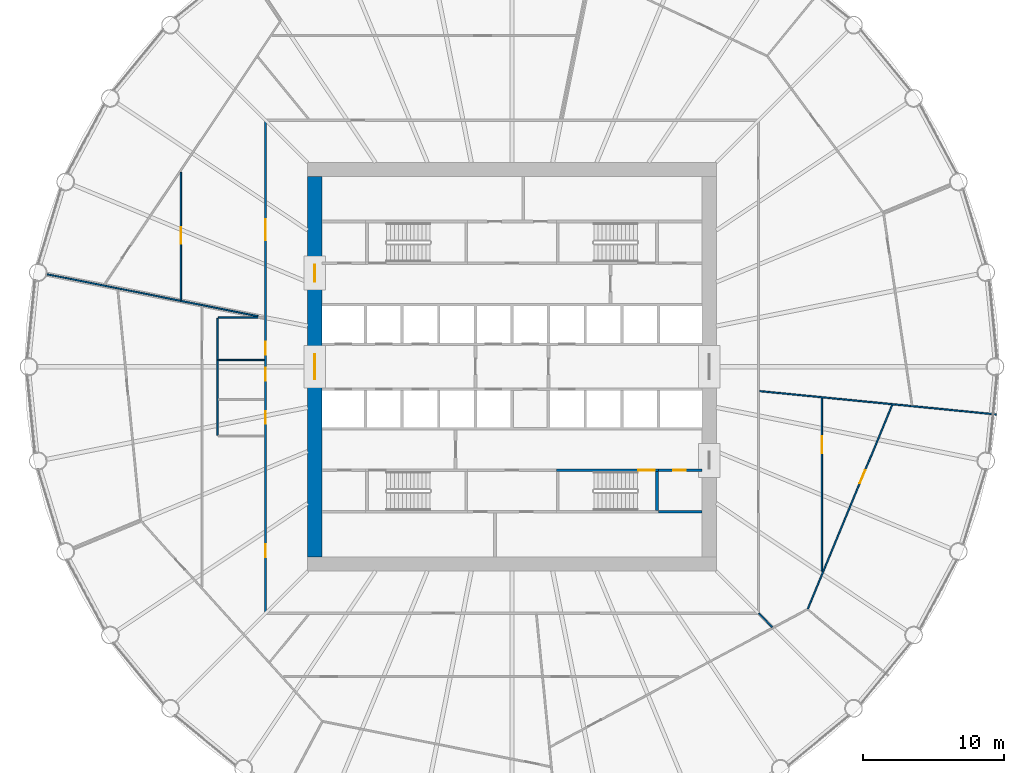
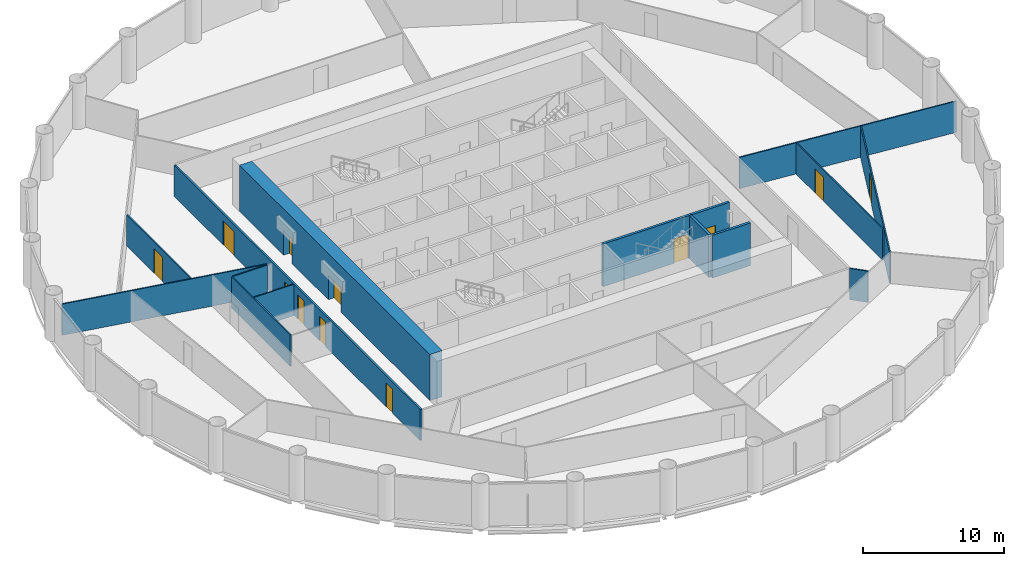
# One storey, part 5 of 9: 15 walls, 12 doors, 12 openings.
"""IFC4 building model written with IfcOpenShell, lengths in metres."""

import ifcopenshell
import ifcopenshell.guid

model = None  # the IFC model being written
_history = None  # IfcOwnerHistory: only IFC2X3 demands one
_inside = {}  # id of a spatial element -> (the spatial element, [elements in it])
_under = {}  # id of a project, library or spatial element -> (it, [spatial elements below it])
_declared = {}  # id of a project -> (the project, [libraries it declares])
_typed = {}  # id of a type object -> (the type object, [elements of that type])
_made_of = {}  # id of a material, layer set ... -> (it, [elements and type objects made of it])


def new_model(schema):
    """Start an empty IFC model of exactly this schema.

    Asked for "IFC4X3", IfcOpenShell would pick the latest addendum, in which some entities
    have other attributes; the version numbers below select the first issue.
    IFC2X3 requires an IfcOwnerHistory on every rooted entity: one is made here for all.
    """
    global model, _history
    if schema == "IFC4X3":
        model = ifcopenshell.file(schema_version=(4, 3, 0, 0))
    else:
        model = ifcopenshell.file(schema=schema)
    _inside.clear()
    _under.clear()
    _declared.clear()
    _typed.clear()
    _made_of.clear()
    _history = None
    if model.schema == "IFC2X3":
        org = make("IfcOrganization", Name="unknown")
        user = make(
            "IfcPersonAndOrganization",
            ThePerson=make("IfcPerson", FamilyName="unknown"),
            TheOrganization=org,
        )
        app = make(
            "IfcApplication",
            ApplicationDeveloper=org,
            Version="unknown",
            ApplicationFullName="unknown",
            ApplicationIdentifier="unknown",
        )
        _history = make(
            "IfcOwnerHistory",
            OwningUser=user,
            OwningApplication=app,
            ChangeAction="ADDED",
            CreationDate=0,
        )
    return model


def make(cls, **values):
    """One entity of the class cls with the attributes given. An attribute that is None is left unset."""
    return model.create_entity(
        cls, **{name: value for name, value in values.items() if value is not None}
    )


def rooted(cls, **values):
    """An entity with a GlobalId (a new one), such as an element, a storey or a relation."""
    return make(cls, GlobalId=ifcopenshell.guid.new(), OwnerHistory=_history, **values)


def si_unit(unit_type, name, prefix=None):
    """IfcSIUnit, for example si_unit("LENGTHUNIT", "METRE", prefix="MILLI")."""
    return make("IfcSIUnit", UnitType=unit_type, Prefix=prefix, Name=name)


def assignment(units):
    """IfcUnitAssignment: the units of a project."""
    return None if units is None else make("IfcUnitAssignment", Units=units)


def point(xyz):
    """IfcCartesianPoint."""
    return None if xyz is None else make("IfcCartesianPoint", Coordinates=xyz)


def direction(xyz):
    """IfcDirection."""
    return None if xyz is None else make("IfcDirection", DirectionRatios=xyz)


def frame(location, z_axis=None, x_axis=None):
    """IfcAxis2Placement3D, a coordinate frame: its origin and axes. An axis left out is left unset."""
    return make(
        "IfcAxis2Placement3D",
        Location=point(location),
        Axis=direction(z_axis),
        RefDirection=direction(x_axis),
    )


def frame_2d(location, x_axis=None):
    """IfcAxis2Placement2D, a coordinate frame in the plane: its origin and x axis."""
    return make(
        "IfcAxis2Placement2D", Location=point(location), RefDirection=direction(x_axis)
    )


def origin():
    """The frame at (0, 0, 0) with its axes left unset."""
    return frame((0.0, 0.0, 0.0))


def place(relative_to, where):
    """IfcLocalPlacement: puts the frame where relative to a parent placement (None: the world)."""
    return make(
        "IfcLocalPlacement", PlacementRelTo=relative_to, RelativePlacement=where
    )


def context(
    kind, dimensions, precision=None, world=None, true_north=None, identifier=None
):
    """IfcGeometricRepresentationContext, for example the 3D "Model" context."""
    return make(
        "IfcGeometricRepresentationContext",
        ContextIdentifier=identifier,
        ContextType=kind,
        CoordinateSpaceDimension=dimensions,
        Precision=precision,
        WorldCoordinateSystem=world,
        TrueNorth=true_north,
    )


def subcontext(parent, identifier, kind, view, scale=None):
    """IfcGeometricRepresentationSubContext, for example "Body" below "Model"."""
    return make(
        "IfcGeometricRepresentationSubContext",
        ContextIdentifier=identifier,
        ContextType=kind,
        ParentContext=parent,
        TargetScale=scale,
        TargetView=view,
    )


def project(units=None, contexts=None):
    """IfcProject with its units and contexts."""
    return rooted(
        "IfcProject",
        Name="project",
        RepresentationContexts=contexts,
        UnitsInContext=assignment(units),
    )


def spatial(cls, under=None, at=None, **own):
    """A site, building, storey or space (cls), placed at a placement, below another one or the project."""
    s = rooted(cls, ObjectPlacement=at, **own)
    if under is not None:
        _under.setdefault(under.id(), (under, []))[1].append(s)
    return s


def polyline(points):
    """IfcPolyline through the points."""
    return make("IfcPolyline", Points=[point(p) for p in points])


def profile(cls, at=None, kind="AREA", **sizes):
    """A parametric profile (cls). Its sizes go by their IFC names, for example OverallWidth=200.0."""
    return make(cls, ProfileType=kind, Position=at, **sizes)


def rectangle(**sizes):
    """IfcRectangleProfileDef."""
    return profile("IfcRectangleProfileDef", **sizes)


def outline(outer, holes=None, kind="AREA"):
    """IfcArbitraryClosedProfileDef: a profile drawn as a closed curve; with holes, ...WithVoids."""
    if holes is None:
        return make("IfcArbitraryClosedProfileDef", ProfileType=kind, OuterCurve=outer)
    return make(
        "IfcArbitraryProfileDefWithVoids",
        ProfileType=kind,
        OuterCurve=outer,
        InnerCurves=holes,
    )


def extrude(swept, where, along, depth):
    """IfcExtrudedAreaSolid: the profile swept, set in the frame where, extruded along a direction by depth."""
    return make(
        "IfcExtrudedAreaSolid",
        SweptArea=swept,
        Position=where,
        ExtrudedDirection=direction(along),
        Depth=depth,
    )


def shape(context_of_items, identifier, shape_type, items):
    """IfcShapeRepresentation: the items that make up one representation, for example the "Body"."""
    return make(
        "IfcShapeRepresentation",
        ContextOfItems=context_of_items,
        RepresentationIdentifier=identifier,
        RepresentationType=shape_type,
        Items=items,
    )


def material(Name=None, Category=None):
    """IfcMaterial."""
    return make("IfcMaterial", Name=Name, Category=Category)


def layer(
    of_material, thickness, ventilated=None, Name=None, Category=None, Priority=None
):
    """IfcMaterialLayer: one layer of a wall or slab, of a material (None: an air gap)."""
    return make(
        "IfcMaterialLayer",
        Material=of_material,
        LayerThickness=thickness,
        IsVentilated=ventilated,
        Name=Name,
        Category=Category,
        Priority=Priority,
    )


def layer_set(layers, Name=None):
    """IfcMaterialLayerSet."""
    return make("IfcMaterialLayerSet", MaterialLayers=layers, LayerSetName=Name)


def made_of(thing, what):
    """Note that an element or type object is made of a material, layer set ...; save() writes the relation."""
    if what is not None:
        _made_of.setdefault(what.id(), (what, []))[1].append(thing)
    return thing


def type_object(cls, material=None, **own):
    """A type object (cls), such as IfcWallType, which elements share."""
    return made_of(rooted(cls, **own), material)


def element(
    cls,
    number,
    at=None,
    inside=None,
    cuts=None,
    type_object=None,
    material=None,
    context=None,
    identifier="Body",
    shape_type=None,
    held_by="IfcProductDefinitionShape",
    body=None,
    shapes=None,
    **own,
):
    """One element of the class cls, such as IfcWall. Its Tag is "e" and its number.

    at: its placement. inside: the storey or other place that contains it. cuts: it is an
    opening in that element (IfcRelVoidsElement). A single representation is given by context,
    identifier, shape_type and body (its items); several are given by shapes. held_by: the class
    of the entity that holds the representations. save() writes the other relations.
    """
    e = rooted(cls, Tag="e%d" % number, ObjectPlacement=at, **own)
    if body is not None:
        shapes = [shape(context, identifier, shape_type, body)]
    if shapes is not None:
        e.Representation = make(held_by, Representations=shapes)
    if inside is not None:
        _inside.setdefault(inside.id(), (inside, []))[1].append(e)
    if cuts is not None:
        rooted(
            "IfcRelVoidsElement", RelatingBuildingElement=cuts, RelatedOpeningElement=e
        )
    if type_object is not None:
        _typed.setdefault(type_object.id(), (type_object, []))[1].append(e)
    return made_of(e, material)


def fill(opening, filler):
    """IfcRelFillsElement: the door or window that sits in an opening."""
    return rooted(
        "IfcRelFillsElement",
        RelatingOpeningElement=opening,
        RelatedBuildingElement=filler,
    )


def aggregate(whole, parts):
    """IfcRelAggregates: a whole, such as a stair, and the parts it consists of."""
    return rooted("IfcRelAggregates", RelatingObject=whole, RelatedObjects=parts)


def save(model, path):
    """Write the relations noted so far, then the file.

    IfcRelAggregates (storeys below a building ...), IfcRelContainedInSpatialStructure (elements
    in a storey), IfcRelDefinesByType, IfcRelAssociatesMaterial and IfcRelDeclares: one each for
    every whole, place, type object, material and project.
    """
    for whole, parts in _under.values():
        aggregate(whole, parts)
    for where, things in _inside.values():
        rooted(
            "IfcRelContainedInSpatialStructure",
            RelatedElements=things,
            RelatingStructure=where,
        )
    for kind, things in _typed.values():
        rooted("IfcRelDefinesByType", RelatedObjects=things, RelatingType=kind)
    for what, things in _made_of.values():
        rooted("IfcRelAssociatesMaterial", RelatedObjects=things, RelatingMaterial=what)
    for by, libraries in _declared.values():
        rooted("IfcRelDeclares", RelatingContext=by, RelatedDefinitions=libraries)
    model.write(path)


model = new_model("IFC4")

# Units and contexts
model_context = context("Model", 3, precision=1e-05, world=origin(), true_north=direction((0.0, 1.0)))
body_context = subcontext(model_context, "Body", "Model", "MODEL_VIEW")
ifc_project = project(units=[si_unit("LENGTHUNIT", "METRE"), si_unit("AREAUNIT", "SQUARE_METRE"), si_unit("VOLUMEUNIT", "CUBIC_METRE"), si_unit("PLANEANGLEUNIT", "RADIAN"), si_unit("MASSUNIT", "GRAM", prefix="KILO")], contexts=[model_context])

# Site, building, storey
site_placement = place(None, origin())
site = spatial("IfcSite", under=ifc_project, at=site_placement, CompositionType="ELEMENT")
building_placement = place(site_placement, origin())
building = spatial("IfcBuilding", under=site, at=building_placement, Name="Corvane Civic Tower", CompositionType="ELEMENT")
storey_placement = place(building_placement, frame((0.0, 0.0, 98.5)))
storey = spatial("IfcBuildingStorey", under=building, at=storey_placement, Name="L22", CompositionType="ELEMENT", Elevation=98.5)

# Wall, openings, doors
ifc_material_1 = material(Name="Concrete C70/85", Category="concrete")
ifc_layer_1 = layer(ifc_material_1, 1.0)
ifc_layer_set_1 = layer_set([ifc_layer_1], Name="Concrete C70/85")
wall_type_1 = type_object("IfcWallType", Name="CORE WALL 1000 C70/85", PredefinedType="SHEAR", material=ifc_layer_set_1)
wall_1_placement = place(storey_placement, frame((-14.0, -13.5, 0.0), z_axis=(0.0, 0.0, 1.0), x_axis=(0.0, 1.0, 0.0)))
wall_1 = element("IfcWall", 1, at=wall_1_placement, inside=storey, type_object=wall_type_1, Name="W-L22-core-W", PredefinedType="SHEAR", context=body_context, shape_type="SweptSolid", body=[
    extrude(rectangle(XDim=27.0, YDim=1.0, at=frame_2d((13.5, 0.0))), origin(), (0.0, 0.0, 1.0), 4.0),
])
opening_1_placement = place(wall_1_placement, frame((12.60009765625, 0.0, 0.0)))
opening_1 = element("IfcOpeningElement", 2, at=opening_1_placement, cuts=wall_1, Name="Opening L22.C20", PredefinedType="OPENING", context=body_context, shape_type="SweptSolid", body=[
    extrude(rectangle(XDim=1.800048828125, YDim=2.10009765625, at=frame_2d((0.89990234375, 1.050048828125))), frame((0.0, 0.510009765625, 0.0), z_axis=(0.0, -1.0, 0.0), x_axis=(1.0, 0.0, 0.0)), (0.0, 0.0, 1.0), 1.02001953125),
])
opening_2_placement = place(wall_1_placement, frame((19.550048828125, 0.0, 0.0)))
opening_2 = element("IfcOpeningElement", 3, at=opening_2_placement, cuts=wall_1, Name="Opening L22.C22", PredefinedType="OPENING", context=body_context, shape_type="SweptSolid", body=[
    extrude(rectangle(XDim=1.199951171875, YDim=2.10009765625, at=frame_2d((0.60009765625, 1.050048828125))), frame((0.0, 0.510009765625, 0.0), z_axis=(0.0, -1.0, 0.0), x_axis=(1.0, 0.0, 0.0)), (0.0, 0.0, 1.0), 1.02001953125),
])
ifc_material_2 = material(Name="Steel fire door leaf", Category="steel")
door_type_1 = type_object("IfcDoorType", Name="CR-DOOR-CORE-1800", OperationType="DOUBLE_DOOR_SINGLE_SWING", PredefinedType="DOOR", material=ifc_material_2)
door_1_placement = place(opening_1_placement, origin())
door_1 = element("IfcDoor", 4, at=door_1_placement, inside=storey, type_object=door_type_1, Name="L22 door", OperationType="DOUBLE_DOOR_SINGLE_SWING", OverallHeight=2.10009765625, OverallWidth=1.800048828125, PredefinedType="DOOR", context=body_context, shape_type="SweptSolid", body=[
    extrude(rectangle(XDim=1.800048828125, YDim=2.10009765625, at=frame_2d((0.89990234375, 1.050048828125))), frame((0.0, 0.02490234375, 0.0), z_axis=(0.0, -1.0, 0.0), x_axis=(1.0, 0.0, 0.0)), (0.0, 0.0, 1.0), 0.050048828125),
])
fill(opening_1, door_1)
door_2_placement = place(opening_2_placement, origin())
door_2 = element("IfcDoor", 5, at=door_2_placement, inside=storey, type_object=door_type_1, Name="L22 door", OperationType="DOUBLE_DOOR_SINGLE_SWING", OverallHeight=2.10009765625, OverallWidth=1.199951171875, PredefinedType="DOOR", context=body_context, shape_type="SweptSolid", body=[
    extrude(rectangle(XDim=1.199951171875, YDim=2.10009765625, at=frame_2d((0.60009765625, 1.050048828125))), frame((0.0, 0.02490234375, 0.0), z_axis=(0.0, -1.0, 0.0), x_axis=(1.0, 0.0, 0.0)), (0.0, 0.0, 1.0), 0.050048828125),
])
fill(opening_2, door_2)

# Wall, opening, door
ifc_material_3 = material(Name="Concrete C30/37", Category="concrete")
ifc_layer_2 = layer(ifc_material_3, 0.199951171875)
ifc_layer_set_2 = layer_set([ifc_layer_2], Name="Concrete C30/37")
wall_type_2 = type_object("IfcWallType", Name="CR-WALL-200", PredefinedType="PARTITIONING", material=ifc_layer_set_2)
wall_2_placement = place(storey_placement, frame((10.39990234375, -7.35009765625, 0.0), z_axis=(0.0, 0.0, 1.0), x_axis=(1.0, 0.0, 0.0)))
wall_2 = element("IfcWall", 6, at=wall_2_placement, inside=storey, type_object=wall_type_2, Name="L22 core partition wall", PredefinedType="PARTITIONING", context=body_context, shape_type="SweptSolid", body=[
    extrude(rectangle(XDim=3.10009765625, YDim=0.199951171875, at=frame_2d((1.550048828125, 0.0))), origin(), (0.0, 0.0, 1.0), 3.699951171875),
])
opening_3_placement = place(wall_2_placement, frame((1.050048828125, 0.0, 0.0)))
opening_3 = element("IfcOpeningElement", 7, at=opening_3_placement, cuts=wall_2, Name="Opening L22.C11", PredefinedType="OPENING", context=body_context, shape_type="SweptSolid", body=[
    extrude(rectangle(XDim=0.89990234375, YDim=2.10009765625, at=frame_2d((0.449951171875, 1.050048828125))), frame((0.0, 0.10986328125, 0.0), z_axis=(0.0, -1.0, 0.0), x_axis=(1.0, 0.0, 0.0)), (0.0, 0.0, 1.0), 0.219970703125),
])
ifc_material_4 = material(Name="Steel fire door leaf", Category="steel")
door_type_2 = type_object("IfcDoorType", Name="CR-DOOR-900", OperationType="SINGLE_SWING_LEFT", PredefinedType="DOOR", material=ifc_material_4)
door_3_placement = place(opening_3_placement, origin())
door_3 = element("IfcDoor", 8, at=door_3_placement, inside=storey, type_object=door_type_2, Name="L22 door", OperationType="SINGLE_SWING_LEFT", OverallHeight=2.10009765625, OverallWidth=0.89990234375, PredefinedType="DOOR", context=body_context, shape_type="SweptSolid", body=[
    extrude(rectangle(XDim=0.89990234375, YDim=2.10009765625, at=frame_2d((0.449951171875, 1.050048828125))), frame((0.0, 0.02490234375, 0.0), z_axis=(0.0, -1.0, 0.0), x_axis=(1.0, 0.0, 0.0)), (0.0, 0.0, 1.0), 0.050048828125),
])
fill(opening_3, door_3)

# Walls
wall_3_placement = place(storey_placement, origin())
element("IfcWall", 9, at=wall_3_placement, inside=storey, type_object=wall_type_2, Name="L22 core partition wall", PredefinedType="PARTITIONING", context=body_context, shape_type="SweptSolid", body=[
    extrude(outline(polyline([(13.5, -10.39990234375), (10.39990234375, -10.39990234375), (10.39990234375, -10.199951171875), (13.5, -10.199951171875), (13.5, -10.39990234375)])), origin(), (0.0, 0.0, 1.0), 3.699951171875),
])
ifc_material_5 = material(Name="Plasterboard")
ifc_layer_3 = layer(ifc_material_5, 0.10009765625)
ifc_layer_set_3 = layer_set([ifc_layer_3], Name="Plasterboard")
wall_type_3 = type_object("IfcWallType", Name="Partition 100 plasterboard on studs", PredefinedType="PARTITIONING", material=ifc_layer_set_3)
wall_4_placement = place(storey_placement, frame((17.5146484375, -17.5146484375, 0.0), z_axis=(0.0, 0.0, 1.0), x_axis=(0.707106781187, -0.707106781187, 0.0)))
element("IfcWall", 10, at=wall_4_placement, inside=storey, type_object=wall_type_3, Name="Partition L22.010", PredefinedType="PARTITIONING", context=body_context, shape_type="SweptSolid", body=[
    extrude(rectangle(XDim=1.366943359375, YDim=0.10009765625, at=frame_2d((0.68359375, 0.0))), origin(), (0.0, 0.0, 1.0), 2.699951171875),
])

# Wall, opening, door
wall_5_placement = place(storey_placement, frame((20.994873046875, -17.18408203125, 0.0), z_axis=(0.0, 0.0, 1.0), x_axis=(0.382676427665, 0.923882433922, 0.0)))
wall_5 = element("IfcWall", 11, at=wall_5_placement, inside=storey, type_object=wall_type_3, Name="Partition L22.014", PredefinedType="PARTITIONING", context=body_context, shape_type="SweptSolid", body=[
    extrude(rectangle(XDim=15.65283203125, YDim=0.10009765625, at=frame_2d((7.826416015625, 0.0))), origin(), (0.0, 0.0, 1.0), 2.699951171875),
])
opening_4_placement = place(wall_5_placement, frame((9.652587890625, 0.0, 0.0)))
opening_4 = element("IfcOpeningElement", 12, at=opening_4_placement, cuts=wall_5, Name="Opening L22.005", PredefinedType="OPENING", context=body_context, shape_type="SweptSolid", body=[
    extrude(rectangle(XDim=1.0, YDim=2.10009765625, at=frame_2d((0.5, 1.050048828125))), frame((0.0, 0.06005859375, 0.0), z_axis=(0.0, -1.0, 0.0), x_axis=(1.0, 0.0, 0.0)), (0.0, 0.0, 1.0), 0.1201171875),
])
ifc_material_6 = material(Name="Timber", Category="wood")
door_type_3 = type_object("IfcDoorType", Name="Single door 1000", OperationType="NOTDEFINED", PredefinedType="DOOR", material=ifc_material_6)
door_4_placement = place(opening_4_placement, frame((1.0, 0.0, 0.0), z_axis=(0.0, 0.0, 1.0), x_axis=(-1.0, 0.0, 0.0)))
door_4 = element("IfcDoor", 13, at=door_4_placement, inside=storey, type_object=door_type_3, Name="Door L22.005", OperationType="SINGLE_SWING_RIGHT", OverallHeight=2.10009765625, OverallWidth=1.0, PredefinedType="DOOR", context=body_context, shape_type="SweptSolid", body=[
    extrude(rectangle(XDim=1.0, YDim=2.10009765625, at=frame_2d((0.5, 1.050048828125))), frame((0.0, 0.02490234375, 0.0), z_axis=(0.0, -1.0, 0.0), x_axis=(1.0, 0.0, 0.0)), (0.0, 0.0, 1.0), 0.050048828125),
])
fill(opening_4, door_4)

wall_6_placement = place(storey_placement, frame((22.0, -14.505859375, 0.0), z_axis=(0.0, 0.0, 1.0), x_axis=(0.0, 1.0, 0.0)))
wall_6 = element("IfcWall", 14, at=wall_6_placement, inside=storey, type_object=wall_type_3, Name="Partition L22.016", PredefinedType="PARTITIONING", context=body_context, shape_type="SweptSolid", body=[
    extrude(rectangle(XDim=12.283935546875, YDim=0.10009765625, at=frame_2d((6.14208984375, 0.0))), origin(), (0.0, 0.0, 1.0), 2.699951171875),
])
opening_5_placement = place(wall_6_placement, frame((8.37890625, 0.0, 0.0)))
opening_5 = element("IfcOpeningElement", 15, at=opening_5_placement, cuts=wall_6, Name="Opening L22.008", PredefinedType="OPENING", context=body_context, shape_type="SweptSolid", body=[
    extrude(rectangle(XDim=1.199951171875, YDim=2.10009765625, at=frame_2d((0.60009765625, 1.050048828125))), frame((0.0, 0.06005859375, 0.0), z_axis=(0.0, -1.0, 0.0), x_axis=(1.0, 0.0, 0.0)), (0.0, 0.0, 1.0), 0.1201171875),
])
ifc_material_7 = material(Name="Timber", Category="wood")
door_type_4 = type_object("IfcDoorType", Name="Double door 1200", OperationType="NOTDEFINED", PredefinedType="DOOR", material=ifc_material_7)
door_5_placement = place(opening_5_placement, frame((1.199951171875, 0.0, 0.0), z_axis=(0.0, 0.0, 1.0), x_axis=(-1.0, 0.0, 0.0)))
door_5 = element("IfcDoor", 16, at=door_5_placement, inside=storey, type_object=door_type_4, Name="Door L22.008", OperationType="DOUBLE_DOOR_SINGLE_SWING", OverallHeight=2.10009765625, OverallWidth=1.199951171875, PredefinedType="DOOR", context=body_context, shape_type="SweptSolid", body=[
    extrude(rectangle(XDim=1.199951171875, YDim=2.10009765625, at=frame_2d((0.60009765625, 1.050048828125))), frame((0.0, 0.02490234375, 0.0), z_axis=(0.0, -1.0, 0.0), x_axis=(1.0, 0.0, 0.0)), (0.0, 0.0, 1.0), 0.050048828125),
])
fill(opening_5, door_5)

# Walls
wall_7_placement = place(storey_placement, frame((-20.89990234375, -4.868896484375, 0.0), z_axis=(0.0, 0.0, 1.0), x_axis=(0.0, 1.0, 0.0)))
element("IfcWall", 17, at=wall_7_placement, inside=storey, type_object=wall_type_3, Name="Partition L22.020", PredefinedType="PARTITIONING", context=body_context, shape_type="SweptSolid", body=[
    extrude(rectangle(XDim=8.2998046875, YDim=0.10009765625, at=frame_2d((4.14990234375, 0.0))), origin(), (0.0, 0.0, 1.0), 2.699951171875),
])
wall_8_placement = place(storey_placement, frame((17.579833984375, -1.7314453125, 0.0), z_axis=(0.0, 0.0, 1.0), x_axis=(0.995184818067, -0.098016212377, 0.0)))
element("IfcWall", 18, at=wall_8_placement, inside=storey, type_object=wall_type_3, Name="Partition L22.021", PredefinedType="PARTITIONING", context=body_context, shape_type="SweptSolid", body=[
    extrude(rectangle(XDim=16.88525390625, YDim=0.10009765625, at=frame_2d((8.442626953125, 0.0))), origin(), (0.0, 0.0, 1.0), 2.699951171875),
])
wall_9_placement = place(storey_placement, frame((-20.85009765625, 0.48095703125, 0.0), z_axis=(0.0, 0.0, 1.0), x_axis=(1.0, 0.0, 0.0)))
element("IfcWall", 19, at=wall_9_placement, inside=storey, type_object=wall_type_3, Name="Partition L22.024", PredefinedType="PARTITIONING", context=body_context, shape_type="SweptSolid", body=[
    extrude(rectangle(XDim=3.275146484375, YDim=0.10009765625, at=frame_2d((1.6376953125, 0.0))), origin(), (0.0, 0.0, 1.0), 2.699951171875),
])
wall_10_placement = place(storey_placement, frame((-20.85009765625, 3.48095703125, 0.0), z_axis=(0.0, 0.0, 1.0), x_axis=(1.0, 0.0, 0.0)))
element("IfcWall", 20, at=wall_10_placement, inside=storey, type_object=wall_type_3, Name="Partition L22.025", PredefinedType="PARTITIONING", context=body_context, shape_type="SweptSolid", body=[
    extrude(rectangle(XDim=2.84228515625, YDim=0.10009765625, at=frame_2d((1.421142578125, 0.0))), origin(), (0.0, 0.0, 1.0), 2.699951171875),
])
wall_11_placement = place(storey_placement, frame((-33.01806640625, 6.567626953125, 0.0), z_axis=(0.0, 0.0, 1.0), x_axis=(0.980787371588, -0.195079808626, 0.0)))
element("IfcWall", 21, at=wall_11_placement, inside=storey, type_object=wall_type_3, Name="Partition L22.026", PredefinedType="PARTITIONING", context=body_context, shape_type="SweptSolid", body=[
    extrude(rectangle(XDim=15.314453125, YDim=0.10009765625, at=frame_2d((7.6572265625, 0.0))), origin(), (0.0, 0.0, 1.0), 2.699951171875),
])

# Wall, opening, door
wall_12_placement = place(storey_placement, frame((-23.5, 4.7353515625, 0.0), z_axis=(0.0, 0.0, 1.0), x_axis=(0.0, 1.0, 0.0)))
wall_12 = element("IfcWall", 22, at=wall_12_placement, inside=storey, type_object=wall_type_3, Name="Partition L22.027", PredefinedType="PARTITIONING", context=body_context, shape_type="SweptSolid", body=[
    extrude(rectangle(XDim=9.059814453125, YDim=0.10009765625, at=frame_2d((4.52978515625, 0.0))), origin(), (0.0, 0.0, 1.0), 2.699951171875),
])
opening_6_placement = place(wall_12_placement, frame((3.981689453125, 0.0, 0.0)))
opening_6 = element("IfcOpeningElement", 23, at=opening_6_placement, cuts=wall_12, Name="Opening L22.022", PredefinedType="OPENING", context=body_context, shape_type="SweptSolid", body=[
    extrude(rectangle(XDim=1.199951171875, YDim=2.10009765625, at=frame_2d((0.60009765625, 1.050048828125))), frame((0.0, 0.06005859375, 0.0), z_axis=(0.0, -1.0, 0.0), x_axis=(1.0, 0.0, 0.0)), (0.0, 0.0, 1.0), 0.1201171875),
])
door_6_placement = place(opening_6_placement, origin())
door_6 = element("IfcDoor", 24, at=door_6_placement, inside=storey, type_object=door_type_4, Name="Door L22.022", OperationType="DOUBLE_DOOR_SINGLE_SWING", OverallHeight=2.10009765625, OverallWidth=1.199951171875, PredefinedType="DOOR", context=body_context, shape_type="SweptSolid", body=[
    extrude(rectangle(XDim=1.199951171875, YDim=2.10009765625, at=frame_2d((0.60009765625, 1.050048828125))), frame((0.0, 0.02490234375, 0.0), z_axis=(0.0, -1.0, 0.0), x_axis=(1.0, 0.0, 0.0)), (0.0, 0.0, 1.0), 0.050048828125),
])
fill(opening_6, door_6)

ifc_material_8 = material(Name="Concrete C50/60", Category="concrete")
ifc_layer_4 = layer(ifc_material_8, 0.199951171875)
ifc_layer_set_4 = layer_set([ifc_layer_4], Name="Concrete C50/60")
wall_type_4 = type_object("IfcWallType", Name="ST-WALL-200", PredefinedType="SHEAR", material=ifc_layer_set_4)
wall_13_placement = place(storey_placement, frame((3.14990234375, -7.35009765625, 0.0), z_axis=(0.0, 0.0, 1.0), x_axis=(1.0, 0.0, 0.0)))
wall_13 = element("IfcWall", 25, at=wall_13_placement, inside=storey, type_object=wall_type_4, Name="L22 stair enclosure wall", PredefinedType="SHEAR", context=body_context, shape_type="SweptSolid", body=[
    extrude(rectangle(XDim=7.25, YDim=0.199951171875, at=frame_2d((3.625, 0.0))), origin(), (0.0, 0.0, 1.0), 3.699951171875),
])
opening_7_placement = place(wall_13_placement, frame((5.800048828125, 0.0, 0.0)))
opening_7 = element("IfcOpeningElement", 26, at=opening_7_placement, cuts=wall_13, Name="Opening L22.C14", PredefinedType="OPENING", context=body_context, shape_type="SweptSolid", body=[
    extrude(rectangle(XDim=1.199951171875, YDim=2.10009765625, at=frame_2d((0.60009765625, 1.050048828125))), frame((0.0, 0.10986328125, 0.0), z_axis=(0.0, -1.0, 0.0), x_axis=(1.0, 0.0, 0.0)), (0.0, 0.0, 1.0), 0.219970703125),
])
ifc_material_9 = material(Name="Steel fire door leaf", Category="steel")
door_type_5 = type_object("IfcDoorType", Name="ST-DOOR-1200", OperationType="SINGLE_SWING_RIGHT", PredefinedType="DOOR", material=ifc_material_9)
door_7_placement = place(opening_7_placement, origin())
door_7 = element("IfcDoor", 27, at=door_7_placement, inside=storey, type_object=door_type_5, Name="L22 stair door", OperationType="SINGLE_SWING_RIGHT", OverallHeight=2.10009765625, OverallWidth=1.199951171875, PredefinedType="DOOR", context=body_context, shape_type="SweptSolid", body=[
    extrude(rectangle(XDim=1.199951171875, YDim=2.10009765625, at=frame_2d((0.60009765625, 1.050048828125))), frame((0.0, 0.02490234375, 0.0), z_axis=(0.0, -1.0, 0.0), x_axis=(1.0, 0.0, 0.0)), (0.0, 0.0, 1.0), 0.050048828125),
])
fill(opening_7, door_7)

# Wall
wall_14_placement = place(storey_placement, origin())
element("IfcWall", 28, at=wall_14_placement, inside=storey, type_object=wall_type_4, Name="L22 stair enclosure wall", PredefinedType="SHEAR", context=body_context, shape_type="SweptSolid", body=[
    extrude(outline(polyline([(10.39990234375, -7.449951171875), (10.39990234375, -10.199951171875), (10.199951171875, -10.199951171875), (10.199951171875, -7.449951171875), (10.39990234375, -7.449951171875)])), origin(), (0.0, 0.0, 1.0), 3.699951171875),
])

# Wall, openings, doors
ifc_material_10 = material(Name="Plasterboard")
ifc_layer_5 = layer(ifc_material_10, 0.14990234375)
ifc_layer_set_5 = layer_set([ifc_layer_5], Name="Plasterboard")
wall_type_5 = type_object("IfcWallType", Name="Tenancy wall 150 EI 60", PredefinedType="PARTITIONING", material=ifc_layer_set_5)
wall_15_placement = place(storey_placement, frame((-17.5, -17.425048828125, 0.0), z_axis=(0.0, 0.0, 1.0), x_axis=(0.0, 1.0, 0.0)))
wall_15 = element("IfcWall", 29, at=wall_15_placement, inside=storey, type_object=wall_type_5, Name="Partition L22.012", PredefinedType="PARTITIONING", context=body_context, shape_type="SweptSolid", body=[
    extrude(rectangle(XDim=34.85009765625, YDim=0.14990234375, at=frame_2d((17.425048828125, 0.0))), origin(), (0.0, 0.0, 1.0), 2.699951171875),
])
opening_8_placement = place(wall_15_placement, frame((3.91796875, 0.0, 0.0)))
opening_8 = element("IfcOpeningElement", 30, at=opening_8_placement, cuts=wall_15, Name="Opening L22.017", PredefinedType="OPENING", context=body_context, shape_type="SweptSolid", body=[
    extrude(rectangle(XDim=0.89990234375, YDim=2.10009765625, at=frame_2d((0.449951171875, 1.050048828125))), frame((0.0, 0.0849609375, 0.0), z_axis=(0.0, -1.0, 0.0), x_axis=(1.0, 0.0, 0.0)), (0.0, 0.0, 1.0), 0.169921875),
])
opening_9_placement = place(wall_15_placement, frame((18.290283203125, 0.0, 0.0)))
opening_9 = element("IfcOpeningElement", 31, at=opening_9_placement, cuts=wall_15, Name="Opening L22.018", PredefinedType="OPENING", context=body_context, shape_type="SweptSolid", body=[
    extrude(rectangle(XDim=0.89990234375, YDim=2.10009765625, at=frame_2d((0.449951171875, 1.050048828125))), frame((0.0, 0.0849609375, 0.0), z_axis=(0.0, -1.0, 0.0), x_axis=(1.0, 0.0, 0.0)), (0.0, 0.0, 1.0), 0.169921875),
])
opening_10_placement = place(wall_15_placement, frame((16.440185546875, 0.0, 0.0)))
opening_10 = element("IfcOpeningElement", 32, at=opening_10_placement, cuts=wall_15, Name="Opening L22.019", PredefinedType="OPENING", context=body_context, shape_type="SweptSolid", body=[
    extrude(rectangle(XDim=0.89990234375, YDim=2.10009765625, at=frame_2d((0.449951171875, 1.050048828125))), frame((0.0, 0.0849609375, 0.0), z_axis=(0.0, -1.0, 0.0), x_axis=(1.0, 0.0, 0.0)), (0.0, 0.0, 1.0), 0.169921875),
])
opening_11_placement = place(wall_15_placement, frame((13.37841796875, 0.0, 0.0)))
opening_11 = element("IfcOpeningElement", 33, at=opening_11_placement, cuts=wall_15, Name="Opening L22.020", PredefinedType="OPENING", context=body_context, shape_type="SweptSolid", body=[
    extrude(rectangle(XDim=0.89990234375, YDim=2.10009765625, at=frame_2d((0.449951171875, 1.050048828125))), frame((0.0, 0.0849609375, 0.0), z_axis=(0.0, -1.0, 0.0), x_axis=(1.0, 0.0, 0.0)), (0.0, 0.0, 1.0), 0.169921875),
])
opening_12_placement = place(wall_15_placement, frame((26.39697265625, 0.0, 0.0)))
opening_12 = element("IfcOpeningElement", 34, at=opening_12_placement, cuts=wall_15, Name="Opening L22.024", PredefinedType="OPENING", context=body_context, shape_type="SweptSolid", body=[
    extrude(rectangle(XDim=1.5, YDim=2.10009765625, at=frame_2d((0.75, 1.050048828125))), frame((0.0, 0.0849609375, 0.0), z_axis=(0.0, -1.0, 0.0), x_axis=(1.0, 0.0, 0.0)), (0.0, 0.0, 1.0), 0.169921875),
])
ifc_material_11 = material(Name="Steel and timber", Category="steel")
door_type_6 = type_object("IfcDoorType", Name="Fire door FD30S 900", OperationType="NOTDEFINED", PredefinedType="DOOR", material=ifc_material_11)
door_8_placement = place(opening_8_placement, origin())
door_8 = element("IfcDoor", 35, at=door_8_placement, inside=storey, type_object=door_type_6, Name="Door L22.017", OperationType="SINGLE_SWING_RIGHT", OverallHeight=2.10009765625, OverallWidth=0.89990234375, PredefinedType="DOOR", context=body_context, shape_type="SweptSolid", body=[
    extrude(rectangle(XDim=0.89990234375, YDim=2.10009765625, at=frame_2d((0.449951171875, 1.050048828125))), frame((0.0, 0.02490234375, 0.0), z_axis=(0.0, -1.0, 0.0), x_axis=(1.0, 0.0, 0.0)), (0.0, 0.0, 1.0), 0.050048828125),
])
fill(opening_8, door_8)
door_9_placement = place(opening_9_placement, origin())
door_9 = element("IfcDoor", 36, at=door_9_placement, inside=storey, type_object=door_type_6, Name="Door L22.018", OperationType="SINGLE_SWING_LEFT", OverallHeight=2.10009765625, OverallWidth=0.89990234375, PredefinedType="DOOR", context=body_context, shape_type="SweptSolid", body=[
    extrude(rectangle(XDim=0.89990234375, YDim=2.10009765625, at=frame_2d((0.449951171875, 1.050048828125))), frame((0.0, 0.02490234375, 0.0), z_axis=(0.0, -1.0, 0.0), x_axis=(1.0, 0.0, 0.0)), (0.0, 0.0, 1.0), 0.050048828125),
])
fill(opening_9, door_9)
door_10_placement = place(opening_10_placement, origin())
door_10 = element("IfcDoor", 37, at=door_10_placement, inside=storey, type_object=door_type_6, Name="Door L22.019", OperationType="SINGLE_SWING_LEFT", OverallHeight=2.10009765625, OverallWidth=0.89990234375, PredefinedType="DOOR", context=body_context, shape_type="SweptSolid", body=[
    extrude(rectangle(XDim=0.89990234375, YDim=2.10009765625, at=frame_2d((0.449951171875, 1.050048828125))), frame((0.0, 0.02490234375, 0.0), z_axis=(0.0, -1.0, 0.0), x_axis=(1.0, 0.0, 0.0)), (0.0, 0.0, 1.0), 0.050048828125),
])
fill(opening_10, door_10)
door_11_placement = place(opening_11_placement, origin())
door_11 = element("IfcDoor", 38, at=door_11_placement, inside=storey, type_object=door_type_6, Name="Door L22.020", OperationType="SINGLE_SWING_RIGHT", OverallHeight=2.10009765625, OverallWidth=0.89990234375, PredefinedType="DOOR", context=body_context, shape_type="SweptSolid", body=[
    extrude(rectangle(XDim=0.89990234375, YDim=2.10009765625, at=frame_2d((0.449951171875, 1.050048828125))), frame((0.0, 0.02490234375, 0.0), z_axis=(0.0, -1.0, 0.0), x_axis=(1.0, 0.0, 0.0)), (0.0, 0.0, 1.0), 0.050048828125),
])
fill(opening_11, door_11)
ifc_material_12 = material(Name="Steel and timber", Category="steel")
door_type_7 = type_object("IfcDoorType", Name="Fire door FD60 double 1500", OperationType="NOTDEFINED", PredefinedType="DOOR", material=ifc_material_12)
door_12_placement = place(opening_12_placement, origin())
door_12 = element("IfcDoor", 39, at=door_12_placement, inside=storey, type_object=door_type_7, Name="Door L22.024", OperationType="DOUBLE_DOOR_SINGLE_SWING", OverallHeight=2.10009765625, OverallWidth=1.5, PredefinedType="DOOR", context=body_context, shape_type="SweptSolid", body=[
    extrude(rectangle(XDim=1.5, YDim=2.10009765625, at=frame_2d((0.75, 1.050048828125))), frame((0.0, 0.02490234375, 0.0), z_axis=(0.0, -1.0, 0.0), x_axis=(1.0, 0.0, 0.0)), (0.0, 0.0, 1.0), 0.050048828125),
])
fill(opening_12, door_12)

save(model, "model.ifc")
